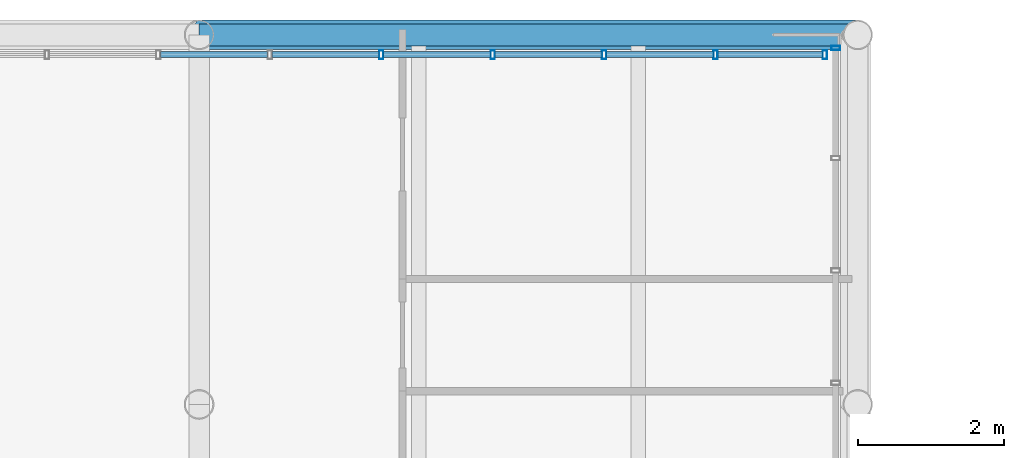
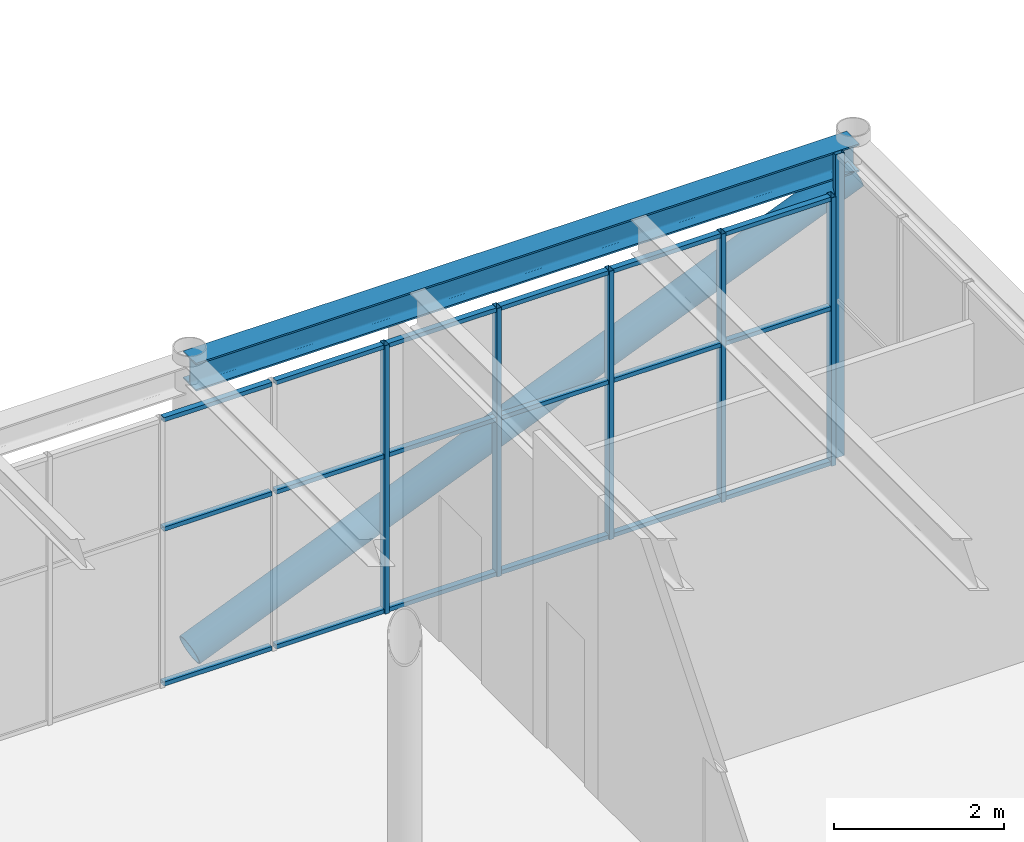
# One storey, part 66 of 149: 25 members, 1 beam, 2 elements without a shape of their own.
"""IFC4 building model written with IfcOpenShell, lengths in metres."""

import ifcopenshell
import ifcopenshell.guid

model = None  # the IFC model being written
_history = None  # IfcOwnerHistory: only IFC2X3 demands one
_inside = {}  # id of a spatial element -> (the spatial element, [elements in it])
_under = {}  # id of a project, library or spatial element -> (it, [spatial elements below it])
_declared = {}  # id of a project -> (the project, [libraries it declares])
_typed = {}  # id of a type object -> (the type object, [elements of that type])
_made_of = {}  # id of a material, layer set ... -> (it, [elements and type objects made of it])


def new_model(schema):
    """Start an empty IFC model of exactly this schema.

    Asked for "IFC4X3", IfcOpenShell would pick the latest addendum, in which some entities
    have other attributes; the version numbers below select the first issue.
    IFC2X3 requires an IfcOwnerHistory on every rooted entity: one is made here for all.
    """
    global model, _history
    if schema == "IFC4X3":
        model = ifcopenshell.file(schema_version=(4, 3, 0, 0))
    else:
        model = ifcopenshell.file(schema=schema)
    _inside.clear()
    _under.clear()
    _declared.clear()
    _typed.clear()
    _made_of.clear()
    _history = None
    if model.schema == "IFC2X3":
        org = make("IfcOrganization", Name="unknown")
        user = make(
            "IfcPersonAndOrganization",
            ThePerson=make("IfcPerson", FamilyName="unknown"),
            TheOrganization=org,
        )
        app = make(
            "IfcApplication",
            ApplicationDeveloper=org,
            Version="unknown",
            ApplicationFullName="unknown",
            ApplicationIdentifier="unknown",
        )
        _history = make(
            "IfcOwnerHistory",
            OwningUser=user,
            OwningApplication=app,
            ChangeAction="ADDED",
            CreationDate=0,
        )
    return model


def make(cls, **values):
    """One entity of the class cls with the attributes given. An attribute that is None is left unset."""
    return model.create_entity(
        cls, **{name: value for name, value in values.items() if value is not None}
    )


def rooted(cls, **values):
    """An entity with a GlobalId (a new one), such as an element, a storey or a relation."""
    return make(cls, GlobalId=ifcopenshell.guid.new(), OwnerHistory=_history, **values)


def si_unit(unit_type, name, prefix=None):
    """IfcSIUnit, for example si_unit("LENGTHUNIT", "METRE", prefix="MILLI")."""
    return make("IfcSIUnit", UnitType=unit_type, Prefix=prefix, Name=name)


def assignment(units):
    """IfcUnitAssignment: the units of a project."""
    return None if units is None else make("IfcUnitAssignment", Units=units)


def point(xyz):
    """IfcCartesianPoint."""
    return None if xyz is None else make("IfcCartesianPoint", Coordinates=xyz)


def direction(xyz):
    """IfcDirection."""
    return None if xyz is None else make("IfcDirection", DirectionRatios=xyz)


def frame(location, z_axis=None, x_axis=None):
    """IfcAxis2Placement3D, a coordinate frame: its origin and axes. An axis left out is left unset."""
    return make(
        "IfcAxis2Placement3D",
        Location=point(location),
        Axis=direction(z_axis),
        RefDirection=direction(x_axis),
    )


def frame_2d(location, x_axis=None):
    """IfcAxis2Placement2D, a coordinate frame in the plane: its origin and x axis."""
    return make(
        "IfcAxis2Placement2D", Location=point(location), RefDirection=direction(x_axis)
    )


def origin():
    """The frame at (0, 0, 0) with its axes left unset."""
    return frame((0.0, 0.0, 0.0))


def origin_2d():
    """The frame at (0, 0) in the plane with its x axis left unset."""
    return frame_2d((0.0, 0.0))


def place(relative_to, where):
    """IfcLocalPlacement: puts the frame where relative to a parent placement (None: the world)."""
    return make(
        "IfcLocalPlacement", PlacementRelTo=relative_to, RelativePlacement=where
    )


def context(
    kind, dimensions, precision=None, world=None, true_north=None, identifier=None
):
    """IfcGeometricRepresentationContext, for example the 3D "Model" context."""
    return make(
        "IfcGeometricRepresentationContext",
        ContextIdentifier=identifier,
        ContextType=kind,
        CoordinateSpaceDimension=dimensions,
        Precision=precision,
        WorldCoordinateSystem=world,
        TrueNorth=true_north,
    )


def subcontext(parent, identifier, kind, view, scale=None):
    """IfcGeometricRepresentationSubContext, for example "Body" below "Model"."""
    return make(
        "IfcGeometricRepresentationSubContext",
        ContextIdentifier=identifier,
        ContextType=kind,
        ParentContext=parent,
        TargetScale=scale,
        TargetView=view,
    )


def project(units=None, contexts=None):
    """IfcProject with its units and contexts."""
    return rooted(
        "IfcProject",
        Name="project",
        RepresentationContexts=contexts,
        UnitsInContext=assignment(units),
    )


def spatial(cls, under=None, at=None, **own):
    """A site, building, storey or space (cls), placed at a placement, below another one or the project."""
    s = rooted(cls, ObjectPlacement=at, **own)
    if under is not None:
        _under.setdefault(under.id(), (under, []))[1].append(s)
    return s


def profile(cls, at=None, kind="AREA", **sizes):
    """A parametric profile (cls). Its sizes go by their IFC names, for example OverallWidth=200.0."""
    return make(cls, ProfileType=kind, Position=at, **sizes)


def hollow_rectangle(**sizes):
    """IfcRectangleHollowProfileDef."""
    return profile("IfcRectangleHollowProfileDef", **sizes)


def hollow_circle(**sizes):
    """IfcCircleHollowProfileDef."""
    return profile("IfcCircleHollowProfileDef", **sizes)


def i_section(**sizes):
    """IfcIShapeProfileDef."""
    return profile("IfcIShapeProfileDef", **sizes)


def extrude(swept, where, along, depth):
    """IfcExtrudedAreaSolid: the profile swept, set in the frame where, extruded along a direction by depth."""
    return make(
        "IfcExtrudedAreaSolid",
        SweptArea=swept,
        Position=where,
        ExtrudedDirection=direction(along),
        Depth=depth,
    )


def shape(context_of_items, identifier, shape_type, items):
    """IfcShapeRepresentation: the items that make up one representation, for example the "Body"."""
    return make(
        "IfcShapeRepresentation",
        ContextOfItems=context_of_items,
        RepresentationIdentifier=identifier,
        RepresentationType=shape_type,
        Items=items,
    )


def material(Name=None, Category=None):
    """IfcMaterial."""
    return make("IfcMaterial", Name=Name, Category=Category)


def layer(
    of_material, thickness, ventilated=None, Name=None, Category=None, Priority=None
):
    """IfcMaterialLayer: one layer of a wall or slab, of a material (None: an air gap)."""
    return make(
        "IfcMaterialLayer",
        Material=of_material,
        LayerThickness=thickness,
        IsVentilated=ventilated,
        Name=Name,
        Category=Category,
        Priority=Priority,
    )


def layer_set(layers, Name=None):
    """IfcMaterialLayerSet."""
    return make("IfcMaterialLayerSet", MaterialLayers=layers, LayerSetName=Name)


def material_profile(
    of_material, cross_section, Name=None, Category=None, Priority=None
):
    """IfcMaterialProfile: a cross section and its material."""
    return make(
        "IfcMaterialProfile",
        Name=Name,
        Material=of_material,
        Profile=cross_section,
        Priority=Priority,
        Category=Category,
    )


def profile_set(profiles, Name=None, composite=None):
    """IfcMaterialProfileSet."""
    return make(
        "IfcMaterialProfileSet",
        Name=Name,
        MaterialProfiles=profiles,
        CompositeProfile=composite,
    )


def made_of(thing, what):
    """Note that an element or type object is made of a material, layer set ...; save() writes the relation."""
    if what is not None:
        _made_of.setdefault(what.id(), (what, []))[1].append(thing)
    return thing


def type_object(cls, material=None, **own):
    """A type object (cls), such as IfcWallType, which elements share."""
    return made_of(rooted(cls, **own), material)


def element(
    cls,
    number,
    at=None,
    inside=None,
    cuts=None,
    type_object=None,
    material=None,
    context=None,
    identifier="Body",
    shape_type=None,
    held_by="IfcProductDefinitionShape",
    body=None,
    shapes=None,
    **own,
):
    """One element of the class cls, such as IfcWall. Its Tag is "e" and its number.

    at: its placement. inside: the storey or other place that contains it. cuts: it is an
    opening in that element (IfcRelVoidsElement). A single representation is given by context,
    identifier, shape_type and body (its items); several are given by shapes. held_by: the class
    of the entity that holds the representations. save() writes the other relations.
    """
    e = rooted(cls, Tag="e%d" % number, ObjectPlacement=at, **own)
    if body is not None:
        shapes = [shape(context, identifier, shape_type, body)]
    if shapes is not None:
        e.Representation = make(held_by, Representations=shapes)
    if inside is not None:
        _inside.setdefault(inside.id(), (inside, []))[1].append(e)
    if cuts is not None:
        rooted(
            "IfcRelVoidsElement", RelatingBuildingElement=cuts, RelatedOpeningElement=e
        )
    if type_object is not None:
        _typed.setdefault(type_object.id(), (type_object, []))[1].append(e)
    return made_of(e, material)


def aggregate(whole, parts):
    """IfcRelAggregates: a whole, such as a stair, and the parts it consists of."""
    return rooted("IfcRelAggregates", RelatingObject=whole, RelatedObjects=parts)


def save(model, path):
    """Write the relations noted so far, then the file.

    IfcRelAggregates (storeys below a building ...), IfcRelContainedInSpatialStructure (elements
    in a storey), IfcRelDefinesByType, IfcRelAssociatesMaterial and IfcRelDeclares: one each for
    every whole, place, type object, material and project.
    """
    for whole, parts in _under.values():
        aggregate(whole, parts)
    for where, things in _inside.values():
        rooted(
            "IfcRelContainedInSpatialStructure",
            RelatedElements=things,
            RelatingStructure=where,
        )
    for kind, things in _typed.values():
        rooted("IfcRelDefinesByType", RelatedObjects=things, RelatingType=kind)
    for what, things in _made_of.values():
        rooted("IfcRelAssociatesMaterial", RelatedObjects=things, RelatingMaterial=what)
    for by, libraries in _declared.values():
        rooted("IfcRelDeclares", RelatingContext=by, RelatedDefinitions=libraries)
    model.write(path)


model = new_model("IFC4")

# Units and contexts
model_context = context("Model", 3, precision=1e-05, world=origin(), true_north=direction((0.0, 1.0)))
body_context = subcontext(model_context, "Body", "Model", "MODEL_VIEW")
ifc_project = project(units=[si_unit("LENGTHUNIT", "METRE"), si_unit("AREAUNIT", "SQUARE_METRE"), si_unit("VOLUMEUNIT", "CUBIC_METRE"), si_unit("PLANEANGLEUNIT", "RADIAN"), si_unit("MASSUNIT", "GRAM", prefix="KILO")], contexts=[model_context])

# Site, building, storey
site_placement = place(None, origin())
site = spatial("IfcSite", under=ifc_project, at=site_placement, CompositionType="ELEMENT")
building_placement = place(site_placement, origin())
building = spatial("IfcBuilding", under=site, at=building_placement, Name="Kallimachos Central Library", CompositionType="ELEMENT")
storey_placement = place(building_placement, frame((0.0, 0.0, 9.89990234375)))
storey = spatial("IfcBuildingStorey", under=building, at=storey_placement, Name="L02", CompositionType="ELEMENT", Elevation=9.89990234375)

# Member
ifc_material_1 = material(Name="Steel S355J2H", Category="steel")
ifc_material_profile_1 = material_profile(ifc_material_1, hollow_circle(Radius=0.203125, WallThickness=0.01611328125, at=origin_2d()), Name="CHS 406.4x16")
ifc_profile_set_1 = profile_set([ifc_material_profile_1], Name="Steel S355J2H")
member_type_1 = type_object("IfcMemberType", Name="CHS 406.4x16 brace", PredefinedType="BRACE", material=ifc_profile_set_1)
member_1_placement = place(storey_placement, frame((101.5, 121.64990234375, 0.150146484375), z_axis=(0.924892546912, 0.0, 0.380228584756), x_axis=(0.0, 1.0, 0.0)))
element("IfcMember", 1, at=member_1_placement, inside=storey, type_object=member_type_1, Name="Cantilever truss diagonal north bay 5 L02", PredefinedType="BRACE", context=body_context, shape_type="SweptSolid", body=[
    extrude(hollow_circle(Radius=0.203125, WallThickness=0.01611328125, at=origin_2d()), origin(), (0.0, 0.0, 1.0), 9.73095703125),
])

# Curtain wall, member
ifc_material_2 = material(Name="Anodised aluminium and laminated glass", Category="aluminium")
ifc_layer = layer(ifc_material_2, 0.159912109375)
ifc_layer_set = layer_set([ifc_layer], Name="Glass box curtain wall")
curtain_wall_type = type_object("IfcCurtainWallType", Name="Glass box curtain wall", PredefinedType="NOTDEFINED", material=ifc_layer_set)
curtain_wall_1_placement = place(storey_placement, origin())
curtain_wall_1 = element("IfcCurtainWall", 2, at=curtain_wall_1_placement, inside=storey, type_object=curtain_wall_type, Name="Glass box curtain wall E L02", PredefinedType="NOTDEFINED")
ifc_material_3 = material(Name="Anodised aluminium", Category="aluminium")
ifc_material_profile_2 = material_profile(ifc_material_3, hollow_rectangle(XDim=0.06005859375, YDim=0.1201171875, WallThickness=0.00390625, at=origin_2d()), Name="ALU MULLION 60x120")
ifc_profile_set_2 = profile_set([ifc_material_profile_2], Name="Anodised aluminium")
member_type_2 = type_object("IfcMemberType", Name="Glass box mullion 60x120", PredefinedType="MULLION", material=ifc_profile_set_2)
member_2_placement = place(storey_placement, frame((110.199951171875, 121.469970703125, 0.0), z_axis=(0.0, 0.0, 1.0), x_axis=(0.0, 1.0, 0.0)))
member_2 = element("IfcMember", 3, at=member_2_placement, type_object=member_type_2, Name="CW19 mullion 8", PredefinedType="MULLION", context=body_context, shape_type="SweptSolid", body=[
    extrude(hollow_rectangle(XDim=0.06005859375, YDim=0.1201171875, WallThickness=0.00390625, at=origin_2d()), origin(), (0.0, 0.0, 1.0), 4.35009765625),
])
aggregate(curtain_wall_1, [member_2])

# Curtain wall, members
curtain_wall_2_placement = place(storey_placement, origin())
curtain_wall_2 = element("IfcCurtainWall", 4, at=curtain_wall_2_placement, inside=storey, type_object=curtain_wall_type, Name="Glass box curtain wall N L02", PredefinedType="NOTDEFINED")
member_3_placement = place(storey_placement, frame((103.989013671875, 121.3798828125, 0.0), z_axis=(0.0, 0.0, 1.0), x_axis=(1.0, 0.0, 0.0)))
member_3 = element("IfcMember", 5, at=member_3_placement, type_object=member_type_2, Name="CW20 mullion 26", PredefinedType="MULLION", context=body_context, shape_type="SweptSolid", body=[
    extrude(hollow_rectangle(XDim=0.06005859375, YDim=0.1201171875, WallThickness=0.00390625, at=origin_2d()), origin(), (0.0, 0.0, 1.0), 3.85009765625),
])
member_4_placement = place(storey_placement, frame((105.51171875, 121.3798828125, 0.0), z_axis=(0.0, 0.0, 1.0), x_axis=(1.0, 0.0, 0.0)))
member_4 = element("IfcMember", 6, at=member_4_placement, type_object=member_type_2, Name="CW20 mullion 27", PredefinedType="MULLION", context=body_context, shape_type="SweptSolid", body=[
    extrude(hollow_rectangle(XDim=0.06005859375, YDim=0.1201171875, WallThickness=0.00390625, at=origin_2d()), origin(), (0.0, 0.0, 1.0), 3.85009765625),
])
member_5_placement = place(storey_placement, frame((107.034423828125, 121.3798828125, 0.0), z_axis=(0.0, 0.0, 1.0), x_axis=(1.0, 0.0, 0.0)))
member_5 = element("IfcMember", 7, at=member_5_placement, type_object=member_type_2, Name="CW20 mullion 28", PredefinedType="MULLION", context=body_context, shape_type="SweptSolid", body=[
    extrude(hollow_rectangle(XDim=0.06005859375, YDim=0.1201171875, WallThickness=0.00390625, at=origin_2d()), origin(), (0.0, 0.0, 1.0), 3.85009765625),
])
member_6_placement = place(storey_placement, frame((108.55712890625, 121.3798828125, 0.0), z_axis=(0.0, 0.0, 1.0), x_axis=(1.0, 0.0, 0.0)))
member_6 = element("IfcMember", 8, at=member_6_placement, type_object=member_type_2, Name="CW20 mullion 29", PredefinedType="MULLION", context=body_context, shape_type="SweptSolid", body=[
    extrude(hollow_rectangle(XDim=0.06005859375, YDim=0.1201171875, WallThickness=0.00390625, at=origin_2d()), origin(), (0.0, 0.0, 1.0), 3.85009765625),
])
member_7_placement = place(storey_placement, frame((110.050048828125, 121.3798828125, 0.0), z_axis=(0.0, 0.0, 1.0), x_axis=(1.0, 0.0, 0.0)))
member_7 = element("IfcMember", 9, at=member_7_placement, type_object=member_type_2, Name="CW20 mullion 30", PredefinedType="MULLION", context=body_context, shape_type="SweptSolid", body=[
    extrude(hollow_rectangle(XDim=0.06005859375, YDim=0.1201171875, WallThickness=0.00390625, at=origin_2d()), origin(), (0.0, 0.0, 1.0), 3.85009765625),
])
ifc_material_4 = material(Name="Anodised aluminium", Category="aluminium")
ifc_material_profile_3 = material_profile(ifc_material_4, hollow_rectangle(XDim=0.06005859375, YDim=0.080078125, WallThickness=0.00390625, at=origin_2d()), Name="ALU TRANSOM 60x80")
ifc_profile_set_3 = profile_set([ifc_material_profile_3], Name="Anodised aluminium")
member_type_3 = type_object("IfcMemberType", Name="Glass box transom 60x80", PredefinedType="USERDEFINED", material=ifc_profile_set_3)
member_8_placement = place(storey_placement, frame((100.973388671875, 121.3798828125, 0.030029296875), z_axis=(1.0, 0.0, 0.0), x_axis=(0.0, 0.0, 1.0)))
member_8 = element("IfcMember", 10, at=member_8_placement, type_object=member_type_3, Name="CW20 transom 24.1", ObjectType="TRANSOM", PredefinedType="USERDEFINED", context=body_context, shape_type="SweptSolid", body=[
    extrude(hollow_rectangle(XDim=0.06005859375, YDim=0.080078125, WallThickness=0.00390625, at=origin_2d()), origin(), (0.0, 0.0, 1.0), 1.462890625),
])
member_9_placement = place(storey_placement, frame((100.973388671875, 121.3798828125, 2.25), z_axis=(1.0, 0.0, 0.0), x_axis=(0.0, 0.0, 1.0)))
member_9 = element("IfcMember", 11, at=member_9_placement, type_object=member_type_3, Name="CW20 transom 24.2", ObjectType="TRANSOM", PredefinedType="USERDEFINED", context=body_context, shape_type="SweptSolid", body=[
    extrude(hollow_rectangle(XDim=0.06005859375, YDim=0.080078125, WallThickness=0.00390625, at=origin_2d()), origin(), (0.0, 0.0, 1.0), 1.462890625),
])
member_10_placement = place(storey_placement, frame((100.973388671875, 121.3798828125, 3.820068359375), z_axis=(1.0, 0.0, 0.0), x_axis=(0.0, 0.0, 1.0)))
member_10 = element("IfcMember", 12, at=member_10_placement, type_object=member_type_3, Name="CW20 transom 24.3", ObjectType="TRANSOM", PredefinedType="USERDEFINED", context=body_context, shape_type="SweptSolid", body=[
    extrude(hollow_rectangle(XDim=0.06005859375, YDim=0.080078125, WallThickness=0.00390625, at=origin_2d()), origin(), (0.0, 0.0, 1.0), 1.462890625),
])
member_11_placement = place(storey_placement, frame((102.49609375, 121.3798828125, 0.030029296875), z_axis=(1.0, 0.0, 0.0), x_axis=(0.0, 0.0, 1.0)))
member_11 = element("IfcMember", 13, at=member_11_placement, type_object=member_type_3, Name="CW20 transom 25.1", ObjectType="TRANSOM", PredefinedType="USERDEFINED", context=body_context, shape_type="SweptSolid", body=[
    extrude(hollow_rectangle(XDim=0.06005859375, YDim=0.080078125, WallThickness=0.00390625, at=origin_2d()), origin(), (0.0, 0.0, 1.0), 1.462890625),
])
member_12_placement = place(storey_placement, frame((102.49609375, 121.3798828125, 2.25), z_axis=(1.0, 0.0, 0.0), x_axis=(0.0, 0.0, 1.0)))
member_12 = element("IfcMember", 14, at=member_12_placement, type_object=member_type_3, Name="CW20 transom 25.2", ObjectType="TRANSOM", PredefinedType="USERDEFINED", context=body_context, shape_type="SweptSolid", body=[
    extrude(hollow_rectangle(XDim=0.06005859375, YDim=0.080078125, WallThickness=0.00390625, at=origin_2d()), origin(), (0.0, 0.0, 1.0), 1.462890625),
])
member_13_placement = place(storey_placement, frame((102.49609375, 121.3798828125, 3.820068359375), z_axis=(1.0, 0.0, 0.0), x_axis=(0.0, 0.0, 1.0)))
member_13 = element("IfcMember", 15, at=member_13_placement, type_object=member_type_3, Name="CW20 transom 25.3", ObjectType="TRANSOM", PredefinedType="USERDEFINED", context=body_context, shape_type="SweptSolid", body=[
    extrude(hollow_rectangle(XDim=0.06005859375, YDim=0.080078125, WallThickness=0.00390625, at=origin_2d()), origin(), (0.0, 0.0, 1.0), 1.462890625),
])
member_14_placement = place(storey_placement, frame((104.01904296875, 121.3798828125, 0.030029296875), z_axis=(1.0, 0.0, 0.0), x_axis=(0.0, 0.0, 1.0)))
member_14 = element("IfcMember", 16, at=member_14_placement, type_object=member_type_3, Name="CW20 transom 26.1", ObjectType="TRANSOM", PredefinedType="USERDEFINED", context=body_context, shape_type="SweptSolid", body=[
    extrude(hollow_rectangle(XDim=0.06005859375, YDim=0.080078125, WallThickness=0.00390625, at=origin_2d()), origin(), (0.0, 0.0, 1.0), 1.462646484375),
])
member_15_placement = place(storey_placement, frame((104.01904296875, 121.3798828125, 2.25), z_axis=(1.0, 0.0, 0.0), x_axis=(0.0, 0.0, 1.0)))
member_15 = element("IfcMember", 17, at=member_15_placement, type_object=member_type_3, Name="CW20 transom 26.2", ObjectType="TRANSOM", PredefinedType="USERDEFINED", context=body_context, shape_type="SweptSolid", body=[
    extrude(hollow_rectangle(XDim=0.06005859375, YDim=0.080078125, WallThickness=0.00390625, at=origin_2d()), origin(), (0.0, 0.0, 1.0), 1.462646484375),
])
member_16_placement = place(storey_placement, frame((104.01904296875, 121.3798828125, 3.820068359375), z_axis=(1.0, 0.0, 0.0), x_axis=(0.0, 0.0, 1.0)))
member_16 = element("IfcMember", 18, at=member_16_placement, type_object=member_type_3, Name="CW20 transom 26.3", ObjectType="TRANSOM", PredefinedType="USERDEFINED", context=body_context, shape_type="SweptSolid", body=[
    extrude(hollow_rectangle(XDim=0.06005859375, YDim=0.080078125, WallThickness=0.00390625, at=origin_2d()), origin(), (0.0, 0.0, 1.0), 1.462646484375),
])
member_17_placement = place(storey_placement, frame((105.541748046875, 121.3798828125, 0.030029296875), z_axis=(1.0, 0.0, 0.0), x_axis=(0.0, 0.0, 1.0)))
member_17 = element("IfcMember", 19, at=member_17_placement, type_object=member_type_3, Name="CW20 transom 27.1", ObjectType="TRANSOM", PredefinedType="USERDEFINED", context=body_context, shape_type="SweptSolid", body=[
    extrude(hollow_rectangle(XDim=0.06005859375, YDim=0.080078125, WallThickness=0.00390625, at=origin_2d()), origin(), (0.0, 0.0, 1.0), 1.462646484375),
])
member_18_placement = place(storey_placement, frame((105.541748046875, 121.3798828125, 2.25), z_axis=(1.0, 0.0, 0.0), x_axis=(0.0, 0.0, 1.0)))
member_18 = element("IfcMember", 20, at=member_18_placement, type_object=member_type_3, Name="CW20 transom 27.2", ObjectType="TRANSOM", PredefinedType="USERDEFINED", context=body_context, shape_type="SweptSolid", body=[
    extrude(hollow_rectangle(XDim=0.06005859375, YDim=0.080078125, WallThickness=0.00390625, at=origin_2d()), origin(), (0.0, 0.0, 1.0), 1.462646484375),
])
member_19_placement = place(storey_placement, frame((105.541748046875, 121.3798828125, 3.820068359375), z_axis=(1.0, 0.0, 0.0), x_axis=(0.0, 0.0, 1.0)))
member_19 = element("IfcMember", 21, at=member_19_placement, type_object=member_type_3, Name="CW20 transom 27.3", ObjectType="TRANSOM", PredefinedType="USERDEFINED", context=body_context, shape_type="SweptSolid", body=[
    extrude(hollow_rectangle(XDim=0.06005859375, YDim=0.080078125, WallThickness=0.00390625, at=origin_2d()), origin(), (0.0, 0.0, 1.0), 1.462646484375),
])
member_20_placement = place(storey_placement, frame((107.064453125, 121.3798828125, 0.030029296875), z_axis=(1.0, 0.0, 0.0), x_axis=(0.0, 0.0, 1.0)))
member_20 = element("IfcMember", 22, at=member_20_placement, type_object=member_type_3, Name="CW20 transom 28.1", ObjectType="TRANSOM", PredefinedType="USERDEFINED", context=body_context, shape_type="SweptSolid", body=[
    extrude(hollow_rectangle(XDim=0.06005859375, YDim=0.080078125, WallThickness=0.00390625, at=origin_2d()), origin(), (0.0, 0.0, 1.0), 1.462890625),
])
member_21_placement = place(storey_placement, frame((107.064453125, 121.3798828125, 2.25), z_axis=(1.0, 0.0, 0.0), x_axis=(0.0, 0.0, 1.0)))
member_21 = element("IfcMember", 23, at=member_21_placement, type_object=member_type_3, Name="CW20 transom 28.2", ObjectType="TRANSOM", PredefinedType="USERDEFINED", context=body_context, shape_type="SweptSolid", body=[
    extrude(hollow_rectangle(XDim=0.06005859375, YDim=0.080078125, WallThickness=0.00390625, at=origin_2d()), origin(), (0.0, 0.0, 1.0), 1.462890625),
])
member_22_placement = place(storey_placement, frame((107.064453125, 121.3798828125, 3.820068359375), z_axis=(1.0, 0.0, 0.0), x_axis=(0.0, 0.0, 1.0)))
member_22 = element("IfcMember", 24, at=member_22_placement, type_object=member_type_3, Name="CW20 transom 28.3", ObjectType="TRANSOM", PredefinedType="USERDEFINED", context=body_context, shape_type="SweptSolid", body=[
    extrude(hollow_rectangle(XDim=0.06005859375, YDim=0.080078125, WallThickness=0.00390625, at=origin_2d()), origin(), (0.0, 0.0, 1.0), 1.462890625),
])
member_23_placement = place(storey_placement, frame((108.587158203125, 121.3798828125, 0.030029296875), z_axis=(1.0, 0.0, 0.0), x_axis=(0.0, 0.0, 1.0)))
member_23 = element("IfcMember", 25, at=member_23_placement, type_object=member_type_3, Name="CW20 transom 29.1", ObjectType="TRANSOM", PredefinedType="USERDEFINED", context=body_context, shape_type="SweptSolid", body=[
    extrude(hollow_rectangle(XDim=0.06005859375, YDim=0.080078125, WallThickness=0.00390625, at=origin_2d()), origin(), (0.0, 0.0, 1.0), 1.432861328125),
])
member_24_placement = place(storey_placement, frame((108.587158203125, 121.3798828125, 2.25), z_axis=(1.0, 0.0, 0.0), x_axis=(0.0, 0.0, 1.0)))
member_24 = element("IfcMember", 26, at=member_24_placement, type_object=member_type_3, Name="CW20 transom 29.2", ObjectType="TRANSOM", PredefinedType="USERDEFINED", context=body_context, shape_type="SweptSolid", body=[
    extrude(hollow_rectangle(XDim=0.06005859375, YDim=0.080078125, WallThickness=0.00390625, at=origin_2d()), origin(), (0.0, 0.0, 1.0), 1.432861328125),
])
member_25_placement = place(storey_placement, frame((108.587158203125, 121.3798828125, 3.820068359375), z_axis=(1.0, 0.0, 0.0), x_axis=(0.0, 0.0, 1.0)))
member_25 = element("IfcMember", 27, at=member_25_placement, type_object=member_type_3, Name="CW20 transom 29.3", ObjectType="TRANSOM", PredefinedType="USERDEFINED", context=body_context, shape_type="SweptSolid", body=[
    extrude(hollow_rectangle(XDim=0.06005859375, YDim=0.080078125, WallThickness=0.00390625, at=origin_2d()), origin(), (0.0, 0.0, 1.0), 1.432861328125),
])
aggregate(curtain_wall_2, [member_3, member_4, member_5, member_6, member_7, member_8, member_9, member_10, member_11, member_12, member_13, member_14, member_15, member_16, member_17, member_18, member_19, member_20, member_21, member_22, member_23, member_24, member_25])

# Beam
ifc_material_5 = material(Name="Steel S355J2", Category="steel")
ifc_material_profile_4 = material_profile(ifc_material_5, i_section(OverallWidth=0.300048828125, OverallDepth=0.39990234375, WebThickness=0.013427734375, FlangeThickness=0.02392578125, FilletRadius=0.027099609375, at=origin_2d()), Name="HEB 400")
ifc_profile_set_4 = profile_set([ifc_material_profile_4], Name="Steel S355J2")
beam_type = type_object("IfcBeamType", Name="HEB 400 beam", PredefinedType="BEAM", material=ifc_profile_set_4)
beam_placement = place(storey_placement, frame((101.5, 121.64990234375, 4.150146484375), z_axis=(1.0, 0.0, 0.0), x_axis=(0.0, 1.0, 0.0)))
element("IfcBeam", 28, at=beam_placement, inside=storey, type_object=beam_type, Name="V1-BEM-L02-048", PredefinedType="BEAM", context=body_context, shape_type="SweptSolid", body=[
    extrude(i_section(OverallWidth=0.300048828125, OverallDepth=0.39990234375, WebThickness=0.013427734375, FlangeThickness=0.02392578125, FilletRadius=0.027099609375, at=origin_2d()), origin(), (0.0, 0.0, 1.0), 9.0),
])

save(model, "model.ifc")
